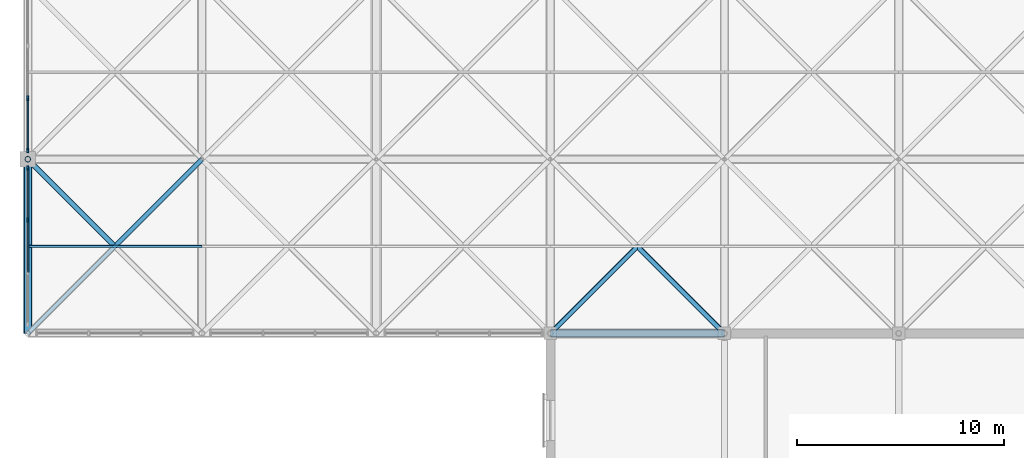
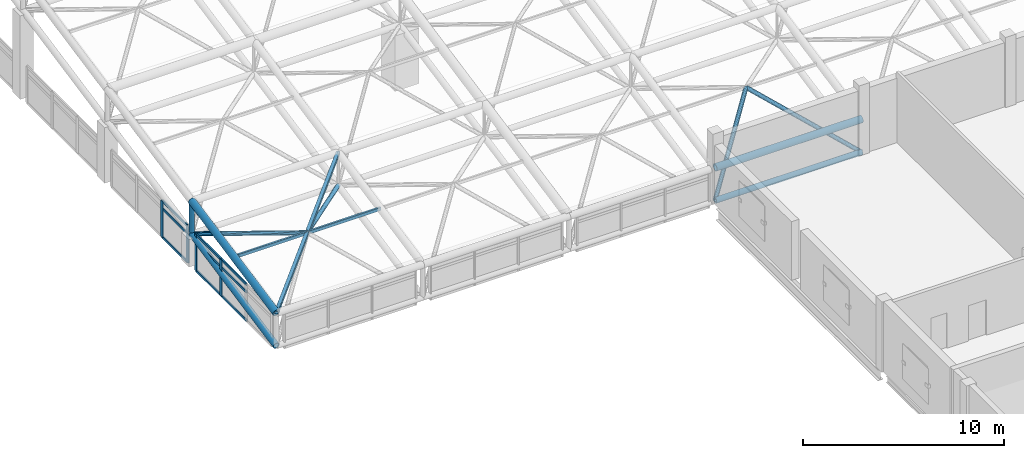
# One storey, part 4 of 81: 24 members, 2 elements without a shape of their own.
"""IFC4 building model written with IfcOpenShell, lengths in metres."""

import ifcopenshell
import ifcopenshell.guid

model = None  # the IFC model being written
_history = None  # IfcOwnerHistory: only IFC2X3 demands one
_inside = {}  # id of a spatial element -> (the spatial element, [elements in it])
_under = {}  # id of a project, library or spatial element -> (it, [spatial elements below it])
_declared = {}  # id of a project -> (the project, [libraries it declares])
_typed = {}  # id of a type object -> (the type object, [elements of that type])
_made_of = {}  # id of a material, layer set ... -> (it, [elements and type objects made of it])


def new_model(schema):
    """Start an empty IFC model of exactly this schema.

    Asked for "IFC4X3", IfcOpenShell would pick the latest addendum, in which some entities
    have other attributes; the version numbers below select the first issue.
    IFC2X3 requires an IfcOwnerHistory on every rooted entity: one is made here for all.
    """
    global model, _history
    if schema == "IFC4X3":
        model = ifcopenshell.file(schema_version=(4, 3, 0, 0))
    else:
        model = ifcopenshell.file(schema=schema)
    _inside.clear()
    _under.clear()
    _declared.clear()
    _typed.clear()
    _made_of.clear()
    _history = None
    if model.schema == "IFC2X3":
        org = make("IfcOrganization", Name="unknown")
        user = make(
            "IfcPersonAndOrganization",
            ThePerson=make("IfcPerson", FamilyName="unknown"),
            TheOrganization=org,
        )
        app = make(
            "IfcApplication",
            ApplicationDeveloper=org,
            Version="unknown",
            ApplicationFullName="unknown",
            ApplicationIdentifier="unknown",
        )
        _history = make(
            "IfcOwnerHistory",
            OwningUser=user,
            OwningApplication=app,
            ChangeAction="ADDED",
            CreationDate=0,
        )
    return model


def make(cls, **values):
    """One entity of the class cls with the attributes given. An attribute that is None is left unset."""
    return model.create_entity(
        cls, **{name: value for name, value in values.items() if value is not None}
    )


def rooted(cls, **values):
    """An entity with a GlobalId (a new one), such as an element, a storey or a relation."""
    return make(cls, GlobalId=ifcopenshell.guid.new(), OwnerHistory=_history, **values)


def si_unit(unit_type, name, prefix=None):
    """IfcSIUnit, for example si_unit("LENGTHUNIT", "METRE", prefix="MILLI")."""
    return make("IfcSIUnit", UnitType=unit_type, Prefix=prefix, Name=name)


def assignment(units):
    """IfcUnitAssignment: the units of a project."""
    return None if units is None else make("IfcUnitAssignment", Units=units)


def point(xyz):
    """IfcCartesianPoint."""
    return None if xyz is None else make("IfcCartesianPoint", Coordinates=xyz)


def direction(xyz):
    """IfcDirection."""
    return None if xyz is None else make("IfcDirection", DirectionRatios=xyz)


def frame(location, z_axis=None, x_axis=None):
    """IfcAxis2Placement3D, a coordinate frame: its origin and axes. An axis left out is left unset."""
    return make(
        "IfcAxis2Placement3D",
        Location=point(location),
        Axis=direction(z_axis),
        RefDirection=direction(x_axis),
    )


def frame_2d(location, x_axis=None):
    """IfcAxis2Placement2D, a coordinate frame in the plane: its origin and x axis."""
    return make(
        "IfcAxis2Placement2D", Location=point(location), RefDirection=direction(x_axis)
    )


def origin():
    """The frame at (0, 0, 0) with its axes left unset."""
    return frame((0.0, 0.0, 0.0))


def origin_2d():
    """The frame at (0, 0) in the plane with its x axis left unset."""
    return frame_2d((0.0, 0.0))


def place(relative_to, where):
    """IfcLocalPlacement: puts the frame where relative to a parent placement (None: the world)."""
    return make(
        "IfcLocalPlacement", PlacementRelTo=relative_to, RelativePlacement=where
    )


def context(
    kind, dimensions, precision=None, world=None, true_north=None, identifier=None
):
    """IfcGeometricRepresentationContext, for example the 3D "Model" context."""
    return make(
        "IfcGeometricRepresentationContext",
        ContextIdentifier=identifier,
        ContextType=kind,
        CoordinateSpaceDimension=dimensions,
        Precision=precision,
        WorldCoordinateSystem=world,
        TrueNorth=true_north,
    )


def subcontext(parent, identifier, kind, view, scale=None):
    """IfcGeometricRepresentationSubContext, for example "Body" below "Model"."""
    return make(
        "IfcGeometricRepresentationSubContext",
        ContextIdentifier=identifier,
        ContextType=kind,
        ParentContext=parent,
        TargetScale=scale,
        TargetView=view,
    )


def project(units=None, contexts=None):
    """IfcProject with its units and contexts."""
    return rooted(
        "IfcProject",
        Name="project",
        RepresentationContexts=contexts,
        UnitsInContext=assignment(units),
    )


def spatial(cls, under=None, at=None, **own):
    """A site, building, storey or space (cls), placed at a placement, below another one or the project."""
    s = rooted(cls, ObjectPlacement=at, **own)
    if under is not None:
        _under.setdefault(under.id(), (under, []))[1].append(s)
    return s


def profile(cls, at=None, kind="AREA", **sizes):
    """A parametric profile (cls). Its sizes go by their IFC names, for example OverallWidth=200.0."""
    return make(cls, ProfileType=kind, Position=at, **sizes)


def rectangle(**sizes):
    """IfcRectangleProfileDef."""
    return profile("IfcRectangleProfileDef", **sizes)


def hollow_rectangle(**sizes):
    """IfcRectangleHollowProfileDef."""
    return profile("IfcRectangleHollowProfileDef", **sizes)


def hollow_circle(**sizes):
    """IfcCircleHollowProfileDef."""
    return profile("IfcCircleHollowProfileDef", **sizes)


def extrude(swept, where, along, depth):
    """IfcExtrudedAreaSolid: the profile swept, set in the frame where, extruded along a direction by depth."""
    return make(
        "IfcExtrudedAreaSolid",
        SweptArea=swept,
        Position=where,
        ExtrudedDirection=direction(along),
        Depth=depth,
    )


def shape(context_of_items, identifier, shape_type, items):
    """IfcShapeRepresentation: the items that make up one representation, for example the "Body"."""
    return make(
        "IfcShapeRepresentation",
        ContextOfItems=context_of_items,
        RepresentationIdentifier=identifier,
        RepresentationType=shape_type,
        Items=items,
    )


def material(Name=None, Category=None):
    """IfcMaterial."""
    return make("IfcMaterial", Name=Name, Category=Category)


def layer(
    of_material, thickness, ventilated=None, Name=None, Category=None, Priority=None
):
    """IfcMaterialLayer: one layer of a wall or slab, of a material (None: an air gap)."""
    return make(
        "IfcMaterialLayer",
        Material=of_material,
        LayerThickness=thickness,
        IsVentilated=ventilated,
        Name=Name,
        Category=Category,
        Priority=Priority,
    )


def layer_set(layers, Name=None):
    """IfcMaterialLayerSet."""
    return make("IfcMaterialLayerSet", MaterialLayers=layers, LayerSetName=Name)


def material_profile(
    of_material, cross_section, Name=None, Category=None, Priority=None
):
    """IfcMaterialProfile: a cross section and its material."""
    return make(
        "IfcMaterialProfile",
        Name=Name,
        Material=of_material,
        Profile=cross_section,
        Priority=Priority,
        Category=Category,
    )


def profile_set(profiles, Name=None, composite=None):
    """IfcMaterialProfileSet."""
    return make(
        "IfcMaterialProfileSet",
        Name=Name,
        MaterialProfiles=profiles,
        CompositeProfile=composite,
    )


def made_of(thing, what):
    """Note that an element or type object is made of a material, layer set ...; save() writes the relation."""
    if what is not None:
        _made_of.setdefault(what.id(), (what, []))[1].append(thing)
    return thing


def type_object(cls, material=None, **own):
    """A type object (cls), such as IfcWallType, which elements share."""
    return made_of(rooted(cls, **own), material)


def element(
    cls,
    number,
    at=None,
    inside=None,
    cuts=None,
    type_object=None,
    material=None,
    context=None,
    identifier="Body",
    shape_type=None,
    held_by="IfcProductDefinitionShape",
    body=None,
    shapes=None,
    **own,
):
    """One element of the class cls, such as IfcWall. Its Tag is "e" and its number.

    at: its placement. inside: the storey or other place that contains it. cuts: it is an
    opening in that element (IfcRelVoidsElement). A single representation is given by context,
    identifier, shape_type and body (its items); several are given by shapes. held_by: the class
    of the entity that holds the representations. save() writes the other relations.
    """
    e = rooted(cls, Tag="e%d" % number, ObjectPlacement=at, **own)
    if body is not None:
        shapes = [shape(context, identifier, shape_type, body)]
    if shapes is not None:
        e.Representation = make(held_by, Representations=shapes)
    if inside is not None:
        _inside.setdefault(inside.id(), (inside, []))[1].append(e)
    if cuts is not None:
        rooted(
            "IfcRelVoidsElement", RelatingBuildingElement=cuts, RelatedOpeningElement=e
        )
    if type_object is not None:
        _typed.setdefault(type_object.id(), (type_object, []))[1].append(e)
    return made_of(e, material)


def aggregate(whole, parts):
    """IfcRelAggregates: a whole, such as a stair, and the parts it consists of."""
    return rooted("IfcRelAggregates", RelatingObject=whole, RelatedObjects=parts)


def save(model, path):
    """Write the relations noted so far, then the file.

    IfcRelAggregates (storeys below a building ...), IfcRelContainedInSpatialStructure (elements
    in a storey), IfcRelDefinesByType, IfcRelAssociatesMaterial and IfcRelDeclares: one each for
    every whole, place, type object, material and project.
    """
    for whole, parts in _under.values():
        aggregate(whole, parts)
    for where, things in _inside.values():
        rooted(
            "IfcRelContainedInSpatialStructure",
            RelatedElements=things,
            RelatingStructure=where,
        )
    for kind, things in _typed.values():
        rooted("IfcRelDefinesByType", RelatedObjects=things, RelatingType=kind)
    for what, things in _made_of.values():
        rooted("IfcRelAssociatesMaterial", RelatedObjects=things, RelatingMaterial=what)
    for by, libraries in _declared.values():
        rooted("IfcRelDeclares", RelatingContext=by, RelatedDefinitions=libraries)
    model.write(path)


model = new_model("IFC4")

# Units and contexts
model_context = context("Model", 3, precision=1e-05, world=origin(), true_north=direction((0.0, 1.0)))
body_context = subcontext(model_context, "Body", "Model", "MODEL_VIEW")
ifc_project = project(units=[si_unit("LENGTHUNIT", "METRE"), si_unit("AREAUNIT", "SQUARE_METRE"), si_unit("VOLUMEUNIT", "CUBIC_METRE"), si_unit("PLANEANGLEUNIT", "RADIAN"), si_unit("MASSUNIT", "GRAM", prefix="KILO")], contexts=[model_context])

# Site, building, storey
site_placement = place(None, origin())
site = spatial("IfcSite", under=ifc_project, at=site_placement, CompositionType="ELEMENT")
building_placement = place(site_placement, origin())
building = spatial("IfcBuilding", under=site, at=building_placement, Name="Qawsi Khor Wholesale Market", CompositionType="ELEMENT")
storey_placement = place(building_placement, frame((0.0, 0.0, 16.199951171875)))
storey = spatial("IfcBuildingStorey", under=building, at=storey_placement, Name="L03", CompositionType="ELEMENT", Elevation=16.199951171875)

# Curtain wall, members
ifc_material_1 = material(Name="Aluminium Anodised Bronze", Category="aluminium")
ifc_layer = layer(ifc_material_1, 0.199951171875, Name="Aluminium Anodised Bronze")
ifc_layer_set = layer_set([ifc_layer], Name="Aluminium Anodised Bronze")
curtain_wall_type = type_object("IfcCurtainWallType", Name="Trading Hall North-Light Curtain Wall CW-03", PredefinedType="NOTDEFINED", material=ifc_layer_set)
curtain_wall_1_placement = place(storey_placement, origin())
curtain_wall_1 = element("IfcCurtainWall", 1, at=curtain_wall_1_placement, inside=storey, type_object=curtain_wall_type, Name="Curtain wall CW-CW-03-L03-129", PredefinedType="NOTDEFINED")
ifc_material_profile_1 = material_profile(ifc_material_1, rectangle(XDim=0.074951171875, YDim=0.219970703125, at=origin_2d()), Name="ALU MULLION 75x220")
ifc_profile_set_1 = profile_set([ifc_material_profile_1], Name="Aluminium Anodised Bronze")
member_type_1 = type_object("IfcMemberType", Name="Curtain Wall Mullion CW-03 ALU MULLION 75x220", PredefinedType="MULLION", material=ifc_profile_set_1)
member_1_placement = place(storey_placement, frame((0.0, 47.459228515625, -0.300048828125), z_axis=(0.0, 0.0, 1.0), x_axis=(1.0, 0.0, 0.0)))
member_1 = element("IfcMember", 2, at=member_1_placement, type_object=member_type_1, Name="Mullion CW-CW-03-L03-129-M02", PredefinedType="MULLION", context=body_context, shape_type="SweptSolid", body=[
    extrude(rectangle(XDim=0.074951171875, YDim=0.219970703125, at=origin_2d()), origin(), (0.0, 0.0, 1.0), 2.2001953125),
])
member_2_placement = place(storey_placement, frame((0.0, 49.9775390625, -0.300048828125), z_axis=(0.0, 0.0, 1.0), x_axis=(1.0, 0.0, 0.0)))
member_2 = element("IfcMember", 3, at=member_2_placement, type_object=member_type_1, Name="Mullion CW-CW-03-L03-129-M03", PredefinedType="MULLION", context=body_context, shape_type="SweptSolid", body=[
    extrude(rectangle(XDim=0.074951171875, YDim=0.219970703125, at=origin_2d()), origin(), (0.0, 0.0, 1.0), 2.2001953125),
])

curtain_wall_2_placement = place(storey_placement, origin())
curtain_wall_2 = element("IfcCurtainWall", 4, at=curtain_wall_2_placement, inside=storey, type_object=curtain_wall_type, Name="Curtain wall CW-CW-03-L03-131", PredefinedType="NOTDEFINED")
member_3_placement = place(storey_placement, frame((0.0, 50.822509765625, -0.300048828125), z_axis=(0.0, 0.0, 1.0), x_axis=(1.0, 0.0, 0.0)))
member_3 = element("IfcMember", 5, at=member_3_placement, type_object=member_type_1, Name="Mullion CW-CW-03-L03-131-M00", PredefinedType="MULLION", context=body_context, shape_type="SweptSolid", body=[
    extrude(rectangle(XDim=0.074951171875, YDim=0.219970703125, at=origin_2d()), origin(), (0.0, 0.0, 1.0), 2.2001953125),
])
member_4_placement = place(storey_placement, frame((0.0, 53.3408203125, -0.300048828125), z_axis=(0.0, 0.0, 1.0), x_axis=(1.0, 0.0, 0.0)))
member_4 = element("IfcMember", 6, at=member_4_placement, type_object=member_type_1, Name="Mullion CW-CW-03-L03-131-M01", PredefinedType="MULLION", context=body_context, shape_type="SweptSolid", body=[
    extrude(rectangle(XDim=0.074951171875, YDim=0.219970703125, at=origin_2d()), origin(), (0.0, 0.0, 1.0), 2.2001953125),
])

# Member
ifc_material_profile_2 = material_profile(ifc_material_1, rectangle(XDim=0.070068359375, YDim=0.14990234375, at=origin_2d()), Name="ALU TRANSOM 70x150")
ifc_profile_set_2 = profile_set([ifc_material_profile_2], Name="Aluminium Anodised Bronze")
member_type_2 = type_object("IfcMemberType", Name="Curtain Wall Transom CW-03 ALU TRANSOM 70x150", PredefinedType="USERDEFINED", material=ifc_profile_set_2)
member_5_placement = place(storey_placement, frame((0.0, 44.94091796875, -0.280029296875), z_axis=(0.0, 1.0, 0.0), x_axis=(-1.0, 0.0, 0.0)))
member_5 = element("IfcMember", 7, at=member_5_placement, type_object=member_type_2, Name="Transom CW-CW-03-L03-129-T0_01", ObjectType="TRANSOM", PredefinedType="USERDEFINED", context=body_context, shape_type="SweptSolid", body=[
    extrude(rectangle(XDim=0.070068359375, YDim=0.14990234375, at=origin_2d()), origin(), (0.0, 0.0, 1.0), 2.518310546875),
])

member_6_placement = place(storey_placement, frame((0.0, 47.459228515625, -0.280029296875), z_axis=(0.0, 1.0, 0.0), x_axis=(-1.0, 0.0, 0.0)))
member_6 = element("IfcMember", 8, at=member_6_placement, type_object=member_type_2, Name="Transom CW-CW-03-L03-129-T0_02", ObjectType="TRANSOM", PredefinedType="USERDEFINED", context=body_context, shape_type="SweptSolid", body=[
    extrude(rectangle(XDim=0.070068359375, YDim=0.14990234375, at=origin_2d()), origin(), (0.0, 0.0, 1.0), 2.518310546875),
])

member_7_placement = place(storey_placement, frame((0.0, 44.94091796875, 1.449951171875), z_axis=(0.0, 1.0, 0.0), x_axis=(-1.0, 0.0, 0.0)))
member_7 = element("IfcMember", 9, at=member_7_placement, type_object=member_type_2, Name="Transom CW-CW-03-L03-129-T1_01", ObjectType="TRANSOM", PredefinedType="USERDEFINED", context=body_context, shape_type="SweptSolid", body=[
    extrude(rectangle(XDim=0.070068359375, YDim=0.14990234375, at=origin_2d()), origin(), (0.0, 0.0, 1.0), 2.518310546875),
])

member_8_placement = place(storey_placement, frame((0.0, 47.459228515625, 1.449951171875), z_axis=(0.0, 1.0, 0.0), x_axis=(-1.0, 0.0, 0.0)))
member_8 = element("IfcMember", 10, at=member_8_placement, type_object=member_type_2, Name="Transom CW-CW-03-L03-129-T1_02", ObjectType="TRANSOM", PredefinedType="USERDEFINED", context=body_context, shape_type="SweptSolid", body=[
    extrude(rectangle(XDim=0.070068359375, YDim=0.14990234375, at=origin_2d()), origin(), (0.0, 0.0, 1.0), 2.518310546875),
])

member_9_placement = place(storey_placement, frame((0.0, 44.94091796875, 1.900146484375), z_axis=(0.0, 1.0, 0.0), x_axis=(-1.0, 0.0, 0.0)))
member_9 = element("IfcMember", 11, at=member_9_placement, type_object=member_type_2, Name="Transom CW-CW-03-L03-129-T2_01", ObjectType="TRANSOM", PredefinedType="USERDEFINED", context=body_context, shape_type="SweptSolid", body=[
    extrude(rectangle(XDim=0.070068359375, YDim=0.14990234375, at=origin_2d()), origin(), (0.0, 0.0, 1.0), 2.518310546875),
])

member_10_placement = place(storey_placement, frame((0.0, 47.459228515625, 1.900146484375), z_axis=(0.0, 1.0, 0.0), x_axis=(-1.0, 0.0, 0.0)))
member_10 = element("IfcMember", 12, at=member_10_placement, type_object=member_type_2, Name="Transom CW-CW-03-L03-129-T2_02", ObjectType="TRANSOM", PredefinedType="USERDEFINED", context=body_context, shape_type="SweptSolid", body=[
    extrude(rectangle(XDim=0.070068359375, YDim=0.14990234375, at=origin_2d()), origin(), (0.0, 0.0, 1.0), 2.518310546875),
])

aggregate(curtain_wall_1, [member_1, member_2, member_5, member_6, member_7, member_8, member_9, member_10])

member_11_placement = place(storey_placement, frame((0.0, 50.822509765625, -0.280029296875), z_axis=(0.0, 1.0, 0.0), x_axis=(-1.0, 0.0, 0.0)))
member_11 = element("IfcMember", 13, at=member_11_placement, type_object=member_type_2, Name="Transom CW-CW-03-L03-131-T0_00", ObjectType="TRANSOM", PredefinedType="USERDEFINED", context=body_context, shape_type="SweptSolid", body=[
    extrude(rectangle(XDim=0.070068359375, YDim=0.14990234375, at=origin_2d()), origin(), (0.0, 0.0, 1.0), 2.518310546875),
])

member_12_placement = place(storey_placement, frame((0.0, 50.822509765625, 1.449951171875), z_axis=(0.0, 1.0, 0.0), x_axis=(-1.0, 0.0, 0.0)))
member_12 = element("IfcMember", 14, at=member_12_placement, type_object=member_type_2, Name="Transom CW-CW-03-L03-131-T1_00", ObjectType="TRANSOM", PredefinedType="USERDEFINED", context=body_context, shape_type="SweptSolid", body=[
    extrude(rectangle(XDim=0.070068359375, YDim=0.14990234375, at=origin_2d()), origin(), (0.0, 0.0, 1.0), 2.518310546875),
])

member_13_placement = place(storey_placement, frame((0.0, 50.822509765625, 1.900146484375), z_axis=(0.0, 1.0, 0.0), x_axis=(-1.0, 0.0, 0.0)))
member_13 = element("IfcMember", 15, at=member_13_placement, type_object=member_type_2, Name="Transom CW-CW-03-L03-131-T2_00", ObjectType="TRANSOM", PredefinedType="USERDEFINED", context=body_context, shape_type="SweptSolid", body=[
    extrude(rectangle(XDim=0.070068359375, YDim=0.14990234375, at=origin_2d()), origin(), (0.0, 0.0, 1.0), 2.518310546875),
])

aggregate(curtain_wall_2, [member_3, member_4, member_11, member_12, member_13])

# Members
ifc_material_2 = material(Name="Steel S355", Category="steel")
ifc_material_profile_3 = material_profile(ifc_material_2, hollow_rectangle(XDim=0.199951171875, YDim=0.199951171875, WallThickness=0.010009765625, InnerFilletRadius=0.010009765625, OuterFilletRadius=0.02001953125, at=origin_2d()), Name="SHS 200x200x10.0")
ifc_profile_set_3 = profile_set([ifc_material_profile_3], Name="Steel S355")
member_type_3 = type_object("IfcMemberType", Name="Roof Plan Brace SHS 200x200x10.0", PredefinedType="BRACE", material=ifc_profile_set_3)
member_14_placement = place(storey_placement, frame((0.0, 42.0, 1.969970703125), z_axis=(0.699973918403, 0.699973918403, 0.141679310811), x_axis=(-0.707106781187, 0.707106781187, 0.0)))
element("IfcMember", 16, at=member_14_placement, inside=storey, type_object=member_type_3, Name="Space frame plan brace WH (0,5)", PredefinedType="BRACE", context=body_context, shape_type="SweptSolid", body=[
    extrude(hollow_rectangle(XDim=0.199951171875, YDim=0.199951171875, WallThickness=0.010009765625, InnerFilletRadius=0.010009765625, OuterFilletRadius=0.02001953125, at=origin_2d()), origin(), (0.0, 0.0, 1.0), 12.000244140625),
])
ifc_material_profile_4 = material_profile(ifc_material_2, hollow_circle(Radius=0.177734375, WallThickness=0.01611328125, at=origin_2d()), Name="CHS 355.6x16.0")
ifc_profile_set_4 = profile_set([ifc_material_profile_4], Name="Steel S355")
member_type_4 = type_object("IfcMemberType", Name="Space-Frame Bottom Chord CHS 355.6x16.0", PredefinedType="CHORD", material=ifc_profile_set_4)
member_15_placement = place(storey_placement, frame((0.0, 42.0, -0.030029296875), z_axis=(0.0, 0.9801244518, 0.198383615716), x_axis=(-1.0, 0.0, 0.0)))
element("IfcMember", 17, at=member_15_placement, inside=storey, type_object=member_type_4, Name="Space frame bottom chord Y WH (0,5)", PredefinedType="CHORD", context=body_context, shape_type="SweptSolid", body=[
    extrude(hollow_circle(Radius=0.177734375, WallThickness=0.01611328125, at=origin_2d()), origin(), (0.0, 0.0, 1.0), 8.5703125),
])
ifc_material_profile_5 = material_profile(ifc_material_2, hollow_circle(Radius=0.136474609375, WallThickness=0.012451171875, at=origin_2d()), Name="CHS 273.0x12.5")
ifc_profile_set_5 = profile_set([ifc_material_profile_5], Name="Steel S355")
member_type_5 = type_object("IfcMemberType", Name="Space-Frame Edge Post CHS 273.0x12.5", PredefinedType="POST", material=ifc_profile_set_5)
member_16_placement = place(storey_placement, frame((0.0, 50.39990234375, 1.670166015625), z_axis=(0.0, 0.0, 1.0), x_axis=(1.0, 0.0, 0.0)))
element("IfcMember", 18, at=member_16_placement, inside=storey, type_object=member_type_5, Name="Space frame post WH (0,6)", PredefinedType="POST", context=body_context, shape_type="SweptSolid", body=[
    extrude(hollow_circle(Radius=0.136474609375, WallThickness=0.012451171875, at=origin_2d()), origin(), (0.0, 0.0, 1.0), 2.0),
])
ifc_material_profile_6 = material_profile(ifc_material_2, hollow_circle(Radius=0.122314453125, WallThickness=0.012451171875, at=origin_2d()), Name="CHS 244.5x12.5")
ifc_profile_set_6 = profile_set([ifc_material_profile_6], Name="Steel S355")
member_type_6 = type_object("IfcMemberType", Name="Space-Frame Heavy Diagonal CHS 244.5x12.5", PredefinedType="POST", material=ifc_profile_set_6)
for number, where, z_axis, x_axis, name in (
    (19, (8.39990234375, 50.39990234375, 1.670166015625), (-0.694216714393, -0.694216714393, 0.190069216113), (0.707106781187, -0.707106781187, 0.0), "Space frame diagonal WH (0,5)-3"),
    (20, (0.0, 50.39990234375, 1.670166015625), (0.694216714393, -0.694216714393, 0.190069216113), (0.707106781187, 0.707106781187, 0.0), "Space frame diagonal WH (0,5)-4"),
):
    element("IfcMember", number, at=place(storey_placement, frame(where, z_axis=z_axis, x_axis=x_axis)), inside=storey, type_object=member_type_6, Name=name, PredefinedType="POST", context=body_context, shape_type="SweptSolid", body=[
        extrude(hollow_circle(Radius=0.122314453125, WallThickness=0.012451171875, at=origin_2d()), origin(), (0.0, 0.0, 1.0), 6.0498046875),
    ])
for number, where, z_axis, x_axis, name in (
    (21, (25.199951171875, 42.0, -0.030029296875), (0.637511741089, 0.637511741089, 0.432617105474), (-0.707106781187, 0.707106781187, 0.0), "Space frame diagonal WH (3,5)-1"),
    (22, (33.60009765625, 42.0, -0.030029296875), (-0.637533737254, 0.637496679957, 0.432606884951), (-0.70708622964, -0.707127332136, 0.0), "Space frame diagonal WH (3,5)-2"),
):
    element("IfcMember", number, at=place(storey_placement, frame(where, z_axis=z_axis, x_axis=x_axis)), inside=storey, type_object=member_type_6, Name=name, PredefinedType="POST", context=body_context, shape_type="SweptSolid", body=[
        extrude(hollow_circle(Radius=0.122314453125, WallThickness=0.012451171875, at=origin_2d()), origin(), (0.0, 0.0, 1.0), 6.588134765625),
    ])
ifc_material_profile_7 = material_profile(ifc_material_2, hollow_rectangle(XDim=0.1201171875, YDim=0.199951171875, WallThickness=0.008056640625, InnerFilletRadius=0.008056640625, OuterFilletRadius=0.01611328125, at=origin_2d()), Name="RHS 200x120x8.0")
ifc_profile_set_7 = profile_set([ifc_material_profile_7], Name="Steel S355")
member_type_7 = type_object("IfcMemberType", Name="Space-Frame Heavy Purlin RHS 200x120x8.0", PredefinedType="PURLIN", material=ifc_profile_set_7)
member_17_placement = place(storey_placement, frame((0.0, 46.199951171875, 2.820068359375), z_axis=(1.0, 0.0, 0.0), x_axis=(0.0, 1.0, 0.0)))
element("IfcMember", 23, at=member_17_placement, inside=storey, type_object=member_type_7, Name="Space frame purlin WH (0,5)", PredefinedType="PURLIN", context=body_context, shape_type="SweptSolid", body=[
    extrude(hollow_rectangle(XDim=0.1201171875, YDim=0.199951171875, WallThickness=0.008056640625, InnerFilletRadius=0.008056640625, OuterFilletRadius=0.01611328125, at=origin_2d()), origin(), (0.0, 0.0, 1.0), 8.39990234375),
])
ifc_material_profile_8 = material_profile(ifc_material_2, hollow_circle(Radius=0.161865234375, WallThickness=0.01611328125, at=origin_2d()), Name="CHS 323.9x16.0")
ifc_profile_set_8 = profile_set([ifc_material_profile_8], Name="Steel S355")
member_type_8 = type_object("IfcMemberType", Name="Space-Frame Secondary Chord CHS 323.9x16.0", PredefinedType="CHORD", material=ifc_profile_set_8)
member_18_placement = place(storey_placement, frame((25.199951171875, 42.0, -0.030029296875), z_axis=(1.0, 0.0, 0.0), x_axis=(0.0, 1.0, 0.0)))
element("IfcMember", 24, at=member_18_placement, inside=storey, type_object=member_type_8, Name="Space frame bottom chord X WH (3,5)", PredefinedType="CHORD", context=body_context, shape_type="SweptSolid", body=[
    extrude(hollow_circle(Radius=0.161865234375, WallThickness=0.01611328125, at=origin_2d()), origin(), (0.0, 0.0, 1.0), 8.400146484375),
])
ifc_material_profile_9 = material_profile(ifc_material_2, hollow_circle(Radius=0.203125, WallThickness=0.02001953125, at=origin_2d()), Name="CHS 406.4x20.0")
ifc_profile_set_9 = profile_set([ifc_material_profile_9], Name="Steel S355")
member_type_9 = type_object("IfcMemberType", Name="Space-Frame Top Chord CHS 406.4x20.0", PredefinedType="CHORD", material=ifc_profile_set_9)
member_19_placement = place(storey_placement, frame((0.0, 42.0, 1.969970703125), z_axis=(0.0, 0.9801244518, 0.198383615716), x_axis=(-1.0, 0.0, 0.0)))
element("IfcMember", 25, at=member_19_placement, inside=storey, type_object=member_type_9, Name="Space frame top chord Y WH (0,5)", PredefinedType="CHORD", context=body_context, shape_type="SweptSolid", body=[
    extrude(hollow_circle(Radius=0.203125, WallThickness=0.02001953125, at=origin_2d()), origin(), (0.0, 0.0, 1.0), 8.5703125),
])
member_20_placement = place(storey_placement, frame((25.199951171875, 42.0, 1.969970703125), z_axis=(1.0, 0.0, 0.0), x_axis=(0.0, 1.0, 0.0)))
element("IfcMember", 26, at=member_20_placement, inside=storey, type_object=member_type_9, Name="Space frame top chord X WH (3,5)", PredefinedType="CHORD", context=body_context, shape_type="SweptSolid", body=[
    extrude(hollow_circle(Radius=0.203125, WallThickness=0.02001953125, at=origin_2d()), origin(), (0.0, 0.0, 1.0), 8.400146484375),
])

save(model, "model.ifc")
